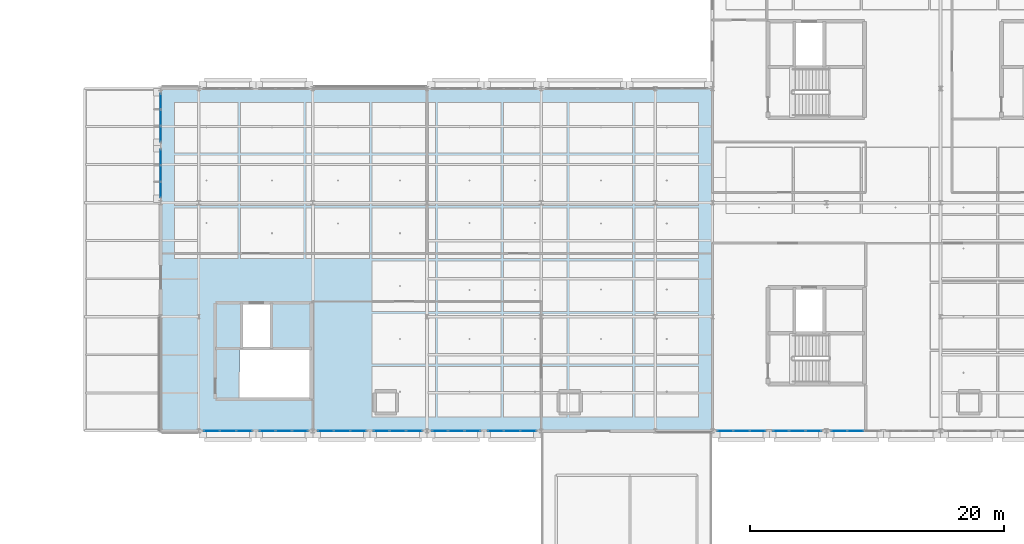
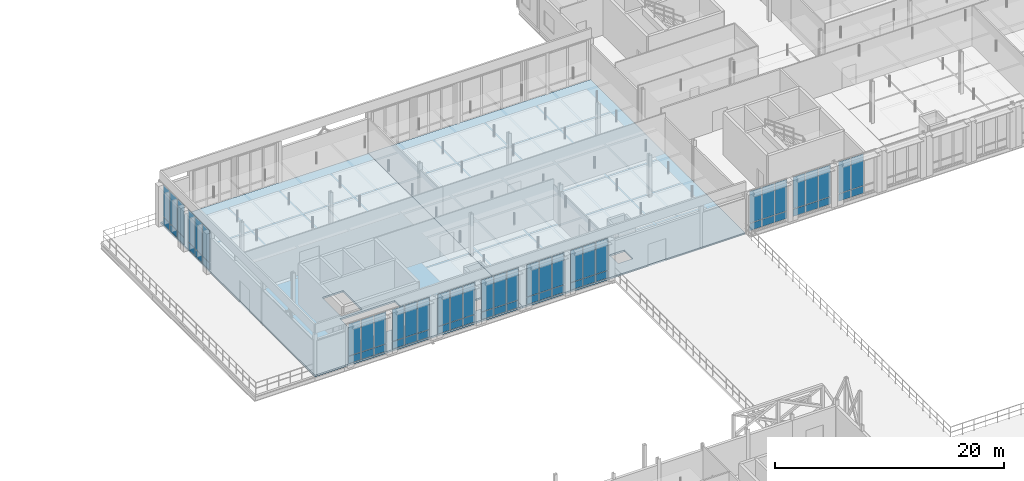
# One storey, part 37 of 89: 64 plates, 2 slabs, 11 elements without a shape of their own.
"""IFC4 building model written with IfcOpenShell, lengths in metres."""

from ifc_helpers import new_model, si_unit, direction, frame, origin, origin_2d, place, context, subcontext, project, spatial, polyline, rectangle, outline, extrude, material, layer, layer_set, type_object, element, aggregate, save


model = new_model("IFC4")

# Units and contexts
model_context = context("Model", 3, precision=1e-05, world=origin(), true_north=direction((0.0, 1.0)))
body_context = subcontext(model_context, "Body", "Model", "MODEL_VIEW")
ifc_project = project(units=[si_unit("LENGTHUNIT", "METRE"), si_unit("AREAUNIT", "SQUARE_METRE"), si_unit("VOLUMEUNIT", "CUBIC_METRE"), si_unit("PLANEANGLEUNIT", "RADIAN"), si_unit("MASSUNIT", "GRAM", prefix="KILO"), si_unit("THERMODYNAMICTEMPERATUREUNIT", "KELVIN"), si_unit("POWERUNIT", "WATT")], contexts=[model_context])

# Site, building, storey
site_placement = place(None, origin())
site = spatial("IfcSite", under=ifc_project, at=site_placement, CompositionType="ELEMENT")
building_placement = place(site_placement, origin())
building = spatial("IfcBuilding", under=site, at=building_placement, Name="Tallowbark Science Centre", CompositionType="ELEMENT")
storey_placement = place(building_placement, frame((0.0, 0.0, 14.39990234375)))
storey = spatial("IfcBuildingStorey", under=building, at=storey_placement, Name="L03", CompositionType="ELEMENT", Elevation=14.39990234375)

# Curtain wall, plates
ifc_material_1 = material(Name="Unitised Thermally Broken Aluminium and Low-E Double Glazing", Category="aluminium")
curtain_wall_type = type_object("IfcCurtainWallType", Name="CW-SYS-FACADE", PredefinedType="NOTDEFINED", material=ifc_material_1)
curtain_wall_1_placement = place(storey_placement, origin())
curtain_wall_1 = element("IfcCurtainWall", 1, at=curtain_wall_1_placement, inside=storey, type_object=curtain_wall_type, Name="Unitised Curtain Wall LAB-S-72A CW-L03-076", PredefinedType="NOTDEFINED")
ifc_material_2 = material(Name="Double Glazed Argon Low-E Vision Glass", Category="glass")
ifc_layer_1 = layer(ifc_material_2, 0.028076171875)
ifc_layer_set_1 = layer_set([ifc_layer_1], Name="Double Glazed Argon Low-E Vision Glass")
plate_type_1 = type_object("IfcPlateType", Name="CWP-GLZ-28", PredefinedType="CURTAIN_PANEL", material=ifc_layer_set_1)
plate_1_placement = place(storey_placement, frame((73.016357421875, 72.0, 0.05517578125), z_axis=(0.0, 0.0, 1.0), x_axis=(1.0, 0.0, 0.0)))
plate_1 = element("IfcPlate", 2, at=plate_1_placement, type_object=plate_type_1, Name="CW-01 panel 1.1", PredefinedType="CURTAIN_PANEL", context=body_context, shape_type="SweptSolid", body=[
    extrude(rectangle(XDim=1.202392578125, YDim=0.028076171875, at=origin_2d()), origin(), (0.0, 0.0, 1.0), 0.767578125),
])
plate_2_placement = place(storey_placement, frame((73.016357421875, 72.0, 0.87744140625), z_axis=(0.0, 0.0, 1.0), x_axis=(1.0, 0.0, 0.0)))
plate_2 = element("IfcPlate", 3, at=plate_2_placement, type_object=plate_type_1, Name="CW-01 panel 1.2", PredefinedType="CURTAIN_PANEL", context=body_context, shape_type="SweptSolid", body=[
    extrude(rectangle(XDim=1.202392578125, YDim=0.028076171875, at=origin_2d()), origin(), (0.0, 0.0, 1.0), 3.407470703125),
])
plate_3_placement = place(storey_placement, frame((74.300048828125, 72.0, 0.05517578125), z_axis=(0.0, 0.0, 1.0), x_axis=(1.0, 0.0, 0.0)))
plate_3 = element("IfcPlate", 4, at=plate_3_placement, type_object=plate_type_1, Name="CW-01 panel 2.1", PredefinedType="CURTAIN_PANEL", context=body_context, shape_type="SweptSolid", body=[
    extrude(rectangle(XDim=1.235107421875, YDim=0.028076171875, at=origin_2d()), origin(), (0.0, 0.0, 1.0), 0.767578125),
])
plate_4_placement = place(storey_placement, frame((74.300048828125, 72.0, 0.87744140625), z_axis=(0.0, 0.0, 1.0), x_axis=(1.0, 0.0, 0.0)))
plate_4 = element("IfcPlate", 5, at=plate_4_placement, type_object=plate_type_1, Name="CW-01 panel 2.2", PredefinedType="CURTAIN_PANEL", context=body_context, shape_type="SweptSolid", body=[
    extrude(rectangle(XDim=1.235107421875, YDim=0.028076171875, at=origin_2d()), origin(), (0.0, 0.0, 1.0), 3.407470703125),
])
plate_5_placement = place(storey_placement, frame((75.583740234375, 72.0, 0.05517578125), z_axis=(0.0, 0.0, 1.0), x_axis=(1.0, 0.0, 0.0)))
plate_5 = element("IfcPlate", 6, at=plate_5_placement, type_object=plate_type_1, Name="CW-01 panel 3.1", PredefinedType="CURTAIN_PANEL", context=body_context, shape_type="SweptSolid", body=[
    extrude(rectangle(XDim=1.202392578125, YDim=0.028076171875, at=origin_2d()), origin(), (0.0, 0.0, 1.0), 0.767578125),
])
plate_6_placement = place(storey_placement, frame((75.583740234375, 72.0, 0.87744140625), z_axis=(0.0, 0.0, 1.0), x_axis=(1.0, 0.0, 0.0)))
plate_6 = element("IfcPlate", 7, at=plate_6_placement, type_object=plate_type_1, Name="CW-01 panel 3.2", PredefinedType="CURTAIN_PANEL", context=body_context, shape_type="SweptSolid", body=[
    extrude(rectangle(XDim=1.202392578125, YDim=0.028076171875, at=origin_2d()), origin(), (0.0, 0.0, 1.0), 3.407470703125),
])
aggregate(curtain_wall_1, [plate_1, plate_2, plate_3, plate_4, plate_5, plate_6])

curtain_wall_2_placement = place(storey_placement, origin())
curtain_wall_2 = element("IfcCurtainWall", 8, at=curtain_wall_2_placement, inside=storey, type_object=curtain_wall_type, Name="Unitised Curtain Wall LAB-S-72B CW-L03-077", PredefinedType="NOTDEFINED")
plate_7_placement = place(storey_placement, frame((77.416259765625, 72.0, 0.05517578125), z_axis=(0.0, 0.0, 1.0), x_axis=(1.0, 0.0, 0.0)))
plate_7 = element("IfcPlate", 9, at=plate_7_placement, type_object=plate_type_1, Name="CW-01 panel 1.1", PredefinedType="CURTAIN_PANEL", context=body_context, shape_type="SweptSolid", body=[
    extrude(rectangle(XDim=1.202392578125, YDim=0.028076171875, at=origin_2d()), origin(), (0.0, 0.0, 1.0), 0.767578125),
])
plate_8_placement = place(storey_placement, frame((77.416259765625, 72.0, 0.87744140625), z_axis=(0.0, 0.0, 1.0), x_axis=(1.0, 0.0, 0.0)))
plate_8 = element("IfcPlate", 10, at=plate_8_placement, type_object=plate_type_1, Name="CW-01 panel 1.2", PredefinedType="CURTAIN_PANEL", context=body_context, shape_type="SweptSolid", body=[
    extrude(rectangle(XDim=1.202392578125, YDim=0.028076171875, at=origin_2d()), origin(), (0.0, 0.0, 1.0), 3.407470703125),
])
plate_9_placement = place(storey_placement, frame((78.699951171875, 72.0, 0.05517578125), z_axis=(0.0, 0.0, 1.0), x_axis=(1.0, 0.0, 0.0)))
plate_9 = element("IfcPlate", 11, at=plate_9_placement, type_object=plate_type_1, Name="CW-01 panel 2.1", PredefinedType="CURTAIN_PANEL", context=body_context, shape_type="SweptSolid", body=[
    extrude(rectangle(XDim=1.235107421875, YDim=0.028076171875, at=origin_2d()), origin(), (0.0, 0.0, 1.0), 0.767578125),
])
plate_10_placement = place(storey_placement, frame((78.699951171875, 72.0, 0.87744140625), z_axis=(0.0, 0.0, 1.0), x_axis=(1.0, 0.0, 0.0)))
plate_10 = element("IfcPlate", 12, at=plate_10_placement, type_object=plate_type_1, Name="CW-01 panel 2.2", PredefinedType="CURTAIN_PANEL", context=body_context, shape_type="SweptSolid", body=[
    extrude(rectangle(XDim=1.235107421875, YDim=0.028076171875, at=origin_2d()), origin(), (0.0, 0.0, 1.0), 3.407470703125),
])
plate_11_placement = place(storey_placement, frame((79.983642578125, 72.0, 0.05517578125), z_axis=(0.0, 0.0, 1.0), x_axis=(1.0, 0.0, 0.0)))
plate_11 = element("IfcPlate", 13, at=plate_11_placement, type_object=plate_type_1, Name="CW-01 panel 3.1", PredefinedType="CURTAIN_PANEL", context=body_context, shape_type="SweptSolid", body=[
    extrude(rectangle(XDim=1.202392578125, YDim=0.028076171875, at=origin_2d()), origin(), (0.0, 0.0, 1.0), 0.767578125),
])
plate_12_placement = place(storey_placement, frame((79.983642578125, 72.0, 0.87744140625), z_axis=(0.0, 0.0, 1.0), x_axis=(1.0, 0.0, 0.0)))
plate_12 = element("IfcPlate", 14, at=plate_12_placement, type_object=plate_type_1, Name="CW-01 panel 3.2", PredefinedType="CURTAIN_PANEL", context=body_context, shape_type="SweptSolid", body=[
    extrude(rectangle(XDim=1.202392578125, YDim=0.028076171875, at=origin_2d()), origin(), (0.0, 0.0, 1.0), 3.407470703125),
])
aggregate(curtain_wall_2, [plate_7, plate_8, plate_9, plate_10, plate_11, plate_12])

curtain_wall_3_placement = place(storey_placement, origin())
curtain_wall_3 = element("IfcCurtainWall", 15, at=curtain_wall_3_placement, inside=storey, type_object=curtain_wall_type, Name="Unitised Curtain Wall LAB-S-81B CW-L03-079", PredefinedType="NOTDEFINED")
plate_13_placement = place(storey_placement, frame((86.416259765625, 72.0, 0.05517578125), z_axis=(0.0, 0.0, 1.0), x_axis=(1.0, 0.0, 0.0)))
plate_13 = element("IfcPlate", 16, at=plate_13_placement, type_object=plate_type_1, Name="CW-01 panel 1.1", PredefinedType="CURTAIN_PANEL", context=body_context, shape_type="SweptSolid", body=[
    extrude(rectangle(XDim=1.202392578125, YDim=0.028076171875, at=origin_2d()), origin(), (0.0, 0.0, 1.0), 0.767578125),
])
plate_14_placement = place(storey_placement, frame((86.416259765625, 72.0, 0.87744140625), z_axis=(0.0, 0.0, 1.0), x_axis=(1.0, 0.0, 0.0)))
plate_14 = element("IfcPlate", 17, at=plate_14_placement, type_object=plate_type_1, Name="CW-01 panel 1.2", PredefinedType="CURTAIN_PANEL", context=body_context, shape_type="SweptSolid", body=[
    extrude(rectangle(XDim=1.202392578125, YDim=0.028076171875, at=origin_2d()), origin(), (0.0, 0.0, 1.0), 3.407470703125),
])
plate_15_placement = place(storey_placement, frame((87.699951171875, 72.0, 0.05517578125), z_axis=(0.0, 0.0, 1.0), x_axis=(1.0, 0.0, 0.0)))
plate_15 = element("IfcPlate", 18, at=plate_15_placement, type_object=plate_type_1, Name="CW-01 panel 2.1", PredefinedType="CURTAIN_PANEL", context=body_context, shape_type="SweptSolid", body=[
    extrude(rectangle(XDim=1.235107421875, YDim=0.028076171875, at=origin_2d()), origin(), (0.0, 0.0, 1.0), 0.767578125),
])
plate_16_placement = place(storey_placement, frame((87.699951171875, 72.0, 0.87744140625), z_axis=(0.0, 0.0, 1.0), x_axis=(1.0, 0.0, 0.0)))
plate_16 = element("IfcPlate", 19, at=plate_16_placement, type_object=plate_type_1, Name="CW-01 panel 2.2", PredefinedType="CURTAIN_PANEL", context=body_context, shape_type="SweptSolid", body=[
    extrude(rectangle(XDim=1.235107421875, YDim=0.028076171875, at=origin_2d()), origin(), (0.0, 0.0, 1.0), 3.407470703125),
])
plate_17_placement = place(storey_placement, frame((88.983642578125, 72.0, 0.05517578125), z_axis=(0.0, 0.0, 1.0), x_axis=(1.0, 0.0, 0.0)))
plate_17 = element("IfcPlate", 20, at=plate_17_placement, type_object=plate_type_1, Name="CW-01 panel 3.1", PredefinedType="CURTAIN_PANEL", context=body_context, shape_type="SweptSolid", body=[
    extrude(rectangle(XDim=1.202392578125, YDim=0.028076171875, at=origin_2d()), origin(), (0.0, 0.0, 1.0), 0.767578125),
])
plate_18_placement = place(storey_placement, frame((88.983642578125, 72.0, 0.87744140625), z_axis=(0.0, 0.0, 1.0), x_axis=(1.0, 0.0, 0.0)))
plate_18 = element("IfcPlate", 21, at=plate_18_placement, type_object=plate_type_1, Name="CW-01 panel 3.2", PredefinedType="CURTAIN_PANEL", context=body_context, shape_type="SweptSolid", body=[
    extrude(rectangle(XDim=1.202392578125, YDim=0.028076171875, at=origin_2d()), origin(), (0.0, 0.0, 1.0), 3.407470703125),
])
aggregate(curtain_wall_3, [plate_13, plate_14, plate_15, plate_16, plate_17, plate_18])

curtain_wall_4_placement = place(storey_placement, origin())
curtain_wall_4 = element("IfcCurtainWall", 22, at=curtain_wall_4_placement, inside=storey, type_object=curtain_wall_type, Name="Unitised Curtain Wall LAB-S-90A CW-L03-080", PredefinedType="NOTDEFINED")
plate_19_placement = place(storey_placement, frame((91.016357421875, 72.0, 0.05517578125), z_axis=(0.0, 0.0, 1.0), x_axis=(1.0, 0.0, 0.0)))
plate_19 = element("IfcPlate", 23, at=plate_19_placement, type_object=plate_type_1, Name="CW-01 panel 1.1", PredefinedType="CURTAIN_PANEL", context=body_context, shape_type="SweptSolid", body=[
    extrude(rectangle(XDim=1.202392578125, YDim=0.028076171875, at=origin_2d()), origin(), (0.0, 0.0, 1.0), 0.767578125),
])
plate_20_placement = place(storey_placement, frame((91.016357421875, 72.0, 0.87744140625), z_axis=(0.0, 0.0, 1.0), x_axis=(1.0, 0.0, 0.0)))
plate_20 = element("IfcPlate", 24, at=plate_20_placement, type_object=plate_type_1, Name="CW-01 panel 1.2", PredefinedType="CURTAIN_PANEL", context=body_context, shape_type="SweptSolid", body=[
    extrude(rectangle(XDim=1.202392578125, YDim=0.028076171875, at=origin_2d()), origin(), (0.0, 0.0, 1.0), 3.407470703125),
])
plate_21_placement = place(storey_placement, frame((92.300048828125, 72.0, 0.05517578125), z_axis=(0.0, 0.0, 1.0), x_axis=(1.0, 0.0, 0.0)))
plate_21 = element("IfcPlate", 25, at=plate_21_placement, type_object=plate_type_1, Name="CW-01 panel 2.1", PredefinedType="CURTAIN_PANEL", context=body_context, shape_type="SweptSolid", body=[
    extrude(rectangle(XDim=1.235107421875, YDim=0.028076171875, at=origin_2d()), origin(), (0.0, 0.0, 1.0), 0.767578125),
])
plate_22_placement = place(storey_placement, frame((92.300048828125, 72.0, 0.87744140625), z_axis=(0.0, 0.0, 1.0), x_axis=(1.0, 0.0, 0.0)))
plate_22 = element("IfcPlate", 26, at=plate_22_placement, type_object=plate_type_1, Name="CW-01 panel 2.2", PredefinedType="CURTAIN_PANEL", context=body_context, shape_type="SweptSolid", body=[
    extrude(rectangle(XDim=1.235107421875, YDim=0.028076171875, at=origin_2d()), origin(), (0.0, 0.0, 1.0), 3.407470703125),
])
plate_23_placement = place(storey_placement, frame((93.583740234375, 72.0, 0.05517578125), z_axis=(0.0, 0.0, 1.0), x_axis=(1.0, 0.0, 0.0)))
plate_23 = element("IfcPlate", 27, at=plate_23_placement, type_object=plate_type_1, Name="CW-01 panel 3.1", PredefinedType="CURTAIN_PANEL", context=body_context, shape_type="SweptSolid", body=[
    extrude(rectangle(XDim=1.202392578125, YDim=0.028076171875, at=origin_2d()), origin(), (0.0, 0.0, 1.0), 0.767578125),
])
plate_24_placement = place(storey_placement, frame((93.583740234375, 72.0, 0.87744140625), z_axis=(0.0, 0.0, 1.0), x_axis=(1.0, 0.0, 0.0)))
plate_24 = element("IfcPlate", 28, at=plate_24_placement, type_object=plate_type_1, Name="CW-01 panel 3.2", PredefinedType="CURTAIN_PANEL", context=body_context, shape_type="SweptSolid", body=[
    extrude(rectangle(XDim=1.202392578125, YDim=0.028076171875, at=origin_2d()), origin(), (0.0, 0.0, 1.0), 3.407470703125),
])
aggregate(curtain_wall_4, [plate_19, plate_20, plate_21, plate_22, plate_23, plate_24])

curtain_wall_5_placement = place(storey_placement, origin())
curtain_wall_5 = element("IfcCurtainWall", 29, at=curtain_wall_5_placement, inside=storey, type_object=curtain_wall_type, Name="Unitised Curtain Wall LAB-W-90A CW-L03-082", PredefinedType="NOTDEFINED")
plate_25_placement = place(storey_placement, frame((69.0, 97.983642578125, 0.05517578125), z_axis=(0.0, 0.0, 1.0), x_axis=(0.0, -1.0, 0.0)))
plate_25 = element("IfcPlate", 30, at=plate_25_placement, type_object=plate_type_1, Name="CW-01 panel 1.1", PredefinedType="CURTAIN_PANEL", context=body_context, shape_type="SweptSolid", body=[
    extrude(rectangle(XDim=1.202392578125, YDim=0.028076171875, at=origin_2d()), origin(), (0.0, 0.0, 1.0), 0.767578125),
])
plate_26_placement = place(storey_placement, frame((69.0, 97.983642578125, 0.87744140625), z_axis=(0.0, 0.0, 1.0), x_axis=(0.0, -1.0, 0.0)))
plate_26 = element("IfcPlate", 31, at=plate_26_placement, type_object=plate_type_1, Name="CW-01 panel 1.2", PredefinedType="CURTAIN_PANEL", context=body_context, shape_type="SweptSolid", body=[
    extrude(rectangle(XDim=1.202392578125, YDim=0.028076171875, at=origin_2d()), origin(), (0.0, 0.0, 1.0), 3.407470703125),
])
plate_27_placement = place(storey_placement, frame((69.0, 96.699951171875, 0.05517578125), z_axis=(0.0, 0.0, 1.0), x_axis=(0.0, -1.0, 0.0)))
plate_27 = element("IfcPlate", 32, at=plate_27_placement, type_object=plate_type_1, Name="CW-01 panel 2.1", PredefinedType="CURTAIN_PANEL", context=body_context, shape_type="SweptSolid", body=[
    extrude(rectangle(XDim=1.235107421875, YDim=0.028076171875, at=origin_2d()), origin(), (0.0, 0.0, 1.0), 0.767578125),
])
plate_28_placement = place(storey_placement, frame((69.0, 96.699951171875, 0.87744140625), z_axis=(0.0, 0.0, 1.0), x_axis=(0.0, -1.0, 0.0)))
plate_28 = element("IfcPlate", 33, at=plate_28_placement, type_object=plate_type_1, Name="CW-01 panel 2.2", PredefinedType="CURTAIN_PANEL", context=body_context, shape_type="SweptSolid", body=[
    extrude(rectangle(XDim=1.235107421875, YDim=0.028076171875, at=origin_2d()), origin(), (0.0, 0.0, 1.0), 3.407470703125),
])
plate_29_placement = place(storey_placement, frame((69.0, 95.416259765625, 0.05517578125), z_axis=(0.0, 0.0, 1.0), x_axis=(0.0, -1.0, 0.0)))
plate_29 = element("IfcPlate", 34, at=plate_29_placement, type_object=plate_type_1, Name="CW-01 panel 3.1", PredefinedType="CURTAIN_PANEL", context=body_context, shape_type="SweptSolid", body=[
    extrude(rectangle(XDim=1.202392578125, YDim=0.028076171875, at=origin_2d()), origin(), (0.0, 0.0, 1.0), 0.767578125),
])
plate_30_placement = place(storey_placement, frame((69.0, 95.416259765625, 0.87744140625), z_axis=(0.0, 0.0, 1.0), x_axis=(0.0, -1.0, 0.0)))
plate_30 = element("IfcPlate", 35, at=plate_30_placement, type_object=plate_type_1, Name="CW-01 panel 3.2", PredefinedType="CURTAIN_PANEL", context=body_context, shape_type="SweptSolid", body=[
    extrude(rectangle(XDim=1.202392578125, YDim=0.028076171875, at=origin_2d()), origin(), (0.0, 0.0, 1.0), 3.407470703125),
])
aggregate(curtain_wall_5, [plate_25, plate_26, plate_27, plate_28, plate_29, plate_30])

curtain_wall_6_placement = place(storey_placement, origin())
curtain_wall_6 = element("IfcCurtainWall", 36, at=curtain_wall_6_placement, inside=storey, type_object=curtain_wall_type, Name="Unitised Curtain Wall LAB-W-90B CW-L03-083", PredefinedType="NOTDEFINED")
plate_31_placement = place(storey_placement, frame((69.0, 93.583740234375, 0.05517578125), z_axis=(0.0, 0.0, 1.0), x_axis=(0.0, -1.0, 0.0)))
plate_31 = element("IfcPlate", 37, at=plate_31_placement, type_object=plate_type_1, Name="CW-01 panel 1.1", PredefinedType="CURTAIN_PANEL", context=body_context, shape_type="SweptSolid", body=[
    extrude(rectangle(XDim=1.202392578125, YDim=0.028076171875, at=origin_2d()), origin(), (0.0, 0.0, 1.0), 0.767578125),
])
plate_32_placement = place(storey_placement, frame((69.0, 93.583740234375, 0.87744140625), z_axis=(0.0, 0.0, 1.0), x_axis=(0.0, -1.0, 0.0)))
plate_32 = element("IfcPlate", 38, at=plate_32_placement, type_object=plate_type_1, Name="CW-01 panel 1.2", PredefinedType="CURTAIN_PANEL", context=body_context, shape_type="SweptSolid", body=[
    extrude(rectangle(XDim=1.202392578125, YDim=0.028076171875, at=origin_2d()), origin(), (0.0, 0.0, 1.0), 3.407470703125),
])
plate_33_placement = place(storey_placement, frame((69.0, 92.300048828125, 0.05517578125), z_axis=(0.0, 0.0, 1.0), x_axis=(0.0, -1.0, 0.0)))
plate_33 = element("IfcPlate", 39, at=plate_33_placement, type_object=plate_type_1, Name="CW-01 panel 2.1", PredefinedType="CURTAIN_PANEL", context=body_context, shape_type="SweptSolid", body=[
    extrude(rectangle(XDim=1.235107421875, YDim=0.028076171875, at=origin_2d()), origin(), (0.0, 0.0, 1.0), 0.767578125),
])
plate_34_placement = place(storey_placement, frame((69.0, 92.300048828125, 0.87744140625), z_axis=(0.0, 0.0, 1.0), x_axis=(0.0, -1.0, 0.0)))
plate_34 = element("IfcPlate", 40, at=plate_34_placement, type_object=plate_type_1, Name="CW-01 panel 2.2", PredefinedType="CURTAIN_PANEL", context=body_context, shape_type="SweptSolid", body=[
    extrude(rectangle(XDim=1.235107421875, YDim=0.028076171875, at=origin_2d()), origin(), (0.0, 0.0, 1.0), 3.407470703125),
])
plate_35_placement = place(storey_placement, frame((69.0, 91.016357421875, 0.05517578125), z_axis=(0.0, 0.0, 1.0), x_axis=(0.0, -1.0, 0.0)))
plate_35 = element("IfcPlate", 41, at=plate_35_placement, type_object=plate_type_1, Name="CW-01 panel 3.1", PredefinedType="CURTAIN_PANEL", context=body_context, shape_type="SweptSolid", body=[
    extrude(rectangle(XDim=1.202392578125, YDim=0.028076171875, at=origin_2d()), origin(), (0.0, 0.0, 1.0), 0.767578125),
])
plate_36_placement = place(storey_placement, frame((69.0, 91.016357421875, 0.87744140625), z_axis=(0.0, 0.0, 1.0), x_axis=(0.0, -1.0, 0.0)))
plate_36 = element("IfcPlate", 42, at=plate_36_placement, type_object=plate_type_1, Name="CW-01 panel 3.2", PredefinedType="CURTAIN_PANEL", context=body_context, shape_type="SweptSolid", body=[
    extrude(rectangle(XDim=1.202392578125, YDim=0.028076171875, at=origin_2d()), origin(), (0.0, 0.0, 1.0), 3.407470703125),
])
aggregate(curtain_wall_6, [plate_31, plate_32, plate_33, plate_34, plate_35, plate_36])

curtain_wall_7_placement = place(storey_placement, origin())
curtain_wall_7 = element("IfcCurtainWall", 43, at=curtain_wall_7_placement, inside=storey, type_object=curtain_wall_type, Name="Unitised Curtain Wall OBS-S-112A CW-L03-164", PredefinedType="NOTDEFINED")
plate_37_placement = place(storey_placement, frame((113.516357421875, 72.0, 0.05517578125), z_axis=(0.0, 0.0, 1.0), x_axis=(1.0, 0.0, 0.0)))
plate_37 = element("IfcPlate", 44, at=plate_37_placement, type_object=plate_type_1, Name="CW-01 panel 1.1", PredefinedType="CURTAIN_PANEL", context=body_context, shape_type="SweptSolid", body=[
    extrude(rectangle(XDim=1.202392578125, YDim=0.028076171875, at=origin_2d()), origin(), (0.0, 0.0, 1.0), 0.767578125),
])
plate_38_placement = place(storey_placement, frame((113.516357421875, 72.0, 0.87744140625), z_axis=(0.0, 0.0, 1.0), x_axis=(1.0, 0.0, 0.0)))
plate_38 = element("IfcPlate", 45, at=plate_38_placement, type_object=plate_type_1, Name="CW-01 panel 1.2", PredefinedType="CURTAIN_PANEL", context=body_context, shape_type="SweptSolid", body=[
    extrude(rectangle(XDim=1.202392578125, YDim=0.028076171875, at=origin_2d()), origin(), (0.0, 0.0, 1.0), 3.387451171875),
])
plate_39_placement = place(storey_placement, frame((114.800048828125, 72.0, 0.05517578125), z_axis=(0.0, 0.0, 1.0), x_axis=(1.0, 0.0, 0.0)))
plate_39 = element("IfcPlate", 46, at=plate_39_placement, type_object=plate_type_1, Name="CW-01 panel 2.1", PredefinedType="CURTAIN_PANEL", context=body_context, shape_type="SweptSolid", body=[
    extrude(rectangle(XDim=1.235107421875, YDim=0.028076171875, at=origin_2d()), origin(), (0.0, 0.0, 1.0), 0.767578125),
])
plate_40_placement = place(storey_placement, frame((114.800048828125, 72.0, 0.87744140625), z_axis=(0.0, 0.0, 1.0), x_axis=(1.0, 0.0, 0.0)))
plate_40 = element("IfcPlate", 47, at=plate_40_placement, type_object=plate_type_1, Name="CW-01 panel 2.2", PredefinedType="CURTAIN_PANEL", context=body_context, shape_type="SweptSolid", body=[
    extrude(rectangle(XDim=1.235107421875, YDim=0.028076171875, at=origin_2d()), origin(), (0.0, 0.0, 1.0), 3.387451171875),
])
plate_41_placement = place(storey_placement, frame((116.083740234375, 72.0, 0.05517578125), z_axis=(0.0, 0.0, 1.0), x_axis=(1.0, 0.0, 0.0)))
plate_41 = element("IfcPlate", 48, at=plate_41_placement, type_object=plate_type_1, Name="CW-01 panel 3.1", PredefinedType="CURTAIN_PANEL", context=body_context, shape_type="SweptSolid", body=[
    extrude(rectangle(XDim=1.202392578125, YDim=0.028076171875, at=origin_2d()), origin(), (0.0, 0.0, 1.0), 0.767578125),
])
plate_42_placement = place(storey_placement, frame((116.083740234375, 72.0, 0.87744140625), z_axis=(0.0, 0.0, 1.0), x_axis=(1.0, 0.0, 0.0)))
plate_42 = element("IfcPlate", 49, at=plate_42_placement, type_object=plate_type_1, Name="CW-01 panel 3.2", PredefinedType="CURTAIN_PANEL", context=body_context, shape_type="SweptSolid", body=[
    extrude(rectangle(XDim=1.202392578125, YDim=0.028076171875, at=origin_2d()), origin(), (0.0, 0.0, 1.0), 3.387451171875),
])
aggregate(curtain_wall_7, [plate_37, plate_38, plate_39, plate_40, plate_41, plate_42])

curtain_wall_8_placement = place(storey_placement, origin())
curtain_wall_8 = element("IfcCurtainWall", 50, at=curtain_wall_8_placement, inside=storey, type_object=curtain_wall_type, Name="Unitised Curtain Wall LAB-S-81A CW-L03-078", PredefinedType="NOTDEFINED")
ifc_material_3 = material(Name="Ceramic-Fritted Insulated Glass Spandrel Panel", Category="glass")
ifc_layer_2 = layer(ifc_material_3, 0.031982421875)
ifc_layer_set_2 = layer_set([ifc_layer_2], Name="Ceramic-Fritted Insulated Glass Spandrel Panel")
plate_type_2 = type_object("IfcPlateType", Name="CWP-SPN-32", PredefinedType="CURTAIN_PANEL", material=ifc_layer_set_2)
plate_43_placement = place(storey_placement, frame((82.016357421875, 72.0, 0.05517578125), z_axis=(0.0, 0.0, 1.0), x_axis=(1.0, 0.0, 0.0)))
plate_43 = element("IfcPlate", 51, at=plate_43_placement, type_object=plate_type_2, Name="CW-01 panel 1.1", PredefinedType="CURTAIN_PANEL", context=body_context, shape_type="SweptSolid", body=[
    extrude(rectangle(XDim=1.202392578125, YDim=0.031982421875, at=origin_2d()), origin(), (0.0, 0.0, 1.0), 0.767578125),
])
plate_44_placement = place(storey_placement, frame((82.016357421875, 72.0, 0.87744140625), z_axis=(0.0, 0.0, 1.0), x_axis=(1.0, 0.0, 0.0)))
plate_44 = element("IfcPlate", 52, at=plate_44_placement, type_object=plate_type_2, Name="CW-01 panel 1.2", PredefinedType="CURTAIN_PANEL", context=body_context, shape_type="SweptSolid", body=[
    extrude(rectangle(XDim=1.202392578125, YDim=0.031982421875, at=origin_2d()), origin(), (0.0, 0.0, 1.0), 3.407470703125),
])
plate_45_placement = place(storey_placement, frame((83.300048828125, 72.0, 0.05517578125), z_axis=(0.0, 0.0, 1.0), x_axis=(1.0, 0.0, 0.0)))
plate_45 = element("IfcPlate", 53, at=plate_45_placement, type_object=plate_type_2, Name="CW-01 panel 2.1", PredefinedType="CURTAIN_PANEL", context=body_context, shape_type="SweptSolid", body=[
    extrude(rectangle(XDim=1.235107421875, YDim=0.031982421875, at=origin_2d()), origin(), (0.0, 0.0, 1.0), 0.767578125),
])
plate_46_placement = place(storey_placement, frame((83.300048828125, 72.0, 0.87744140625), z_axis=(0.0, 0.0, 1.0), x_axis=(1.0, 0.0, 0.0)))
plate_46 = element("IfcPlate", 54, at=plate_46_placement, type_object=plate_type_2, Name="CW-01 panel 2.2", PredefinedType="CURTAIN_PANEL", context=body_context, shape_type="SweptSolid", body=[
    extrude(rectangle(XDim=1.235107421875, YDim=0.031982421875, at=origin_2d()), origin(), (0.0, 0.0, 1.0), 3.407470703125),
])
plate_47_placement = place(storey_placement, frame((84.583740234375, 72.0, 0.05517578125), z_axis=(0.0, 0.0, 1.0), x_axis=(1.0, 0.0, 0.0)))
plate_47 = element("IfcPlate", 55, at=plate_47_placement, type_object=plate_type_2, Name="CW-01 panel 3.1", PredefinedType="CURTAIN_PANEL", context=body_context, shape_type="SweptSolid", body=[
    extrude(rectangle(XDim=1.202392578125, YDim=0.031982421875, at=origin_2d()), origin(), (0.0, 0.0, 1.0), 0.767578125),
])
plate_48_placement = place(storey_placement, frame((84.583740234375, 72.0, 0.87744140625), z_axis=(0.0, 0.0, 1.0), x_axis=(1.0, 0.0, 0.0)))
plate_48 = element("IfcPlate", 56, at=plate_48_placement, type_object=plate_type_2, Name="CW-01 panel 3.2", PredefinedType="CURTAIN_PANEL", context=body_context, shape_type="SweptSolid", body=[
    extrude(rectangle(XDim=1.202392578125, YDim=0.031982421875, at=origin_2d()), origin(), (0.0, 0.0, 1.0), 3.407470703125),
])
aggregate(curtain_wall_8, [plate_43, plate_44, plate_45, plate_46, plate_47, plate_48])

curtain_wall_9_placement = place(storey_placement, origin())
curtain_wall_9 = element("IfcCurtainWall", 57, at=curtain_wall_9_placement, inside=storey, type_object=curtain_wall_type, Name="Unitised Curtain Wall LAB-S-90B CW-L03-081", PredefinedType="NOTDEFINED")
plate_49_placement = place(storey_placement, frame((95.416259765625, 72.0, 0.05517578125), z_axis=(0.0, 0.0, 1.0), x_axis=(1.0, 0.0, 0.0)))
plate_49 = element("IfcPlate", 58, at=plate_49_placement, type_object=plate_type_2, Name="CW-01 panel 1.1", PredefinedType="CURTAIN_PANEL", context=body_context, shape_type="SweptSolid", body=[
    extrude(rectangle(XDim=1.202392578125, YDim=0.031982421875, at=origin_2d()), origin(), (0.0, 0.0, 1.0), 0.767578125),
])
plate_50_placement = place(storey_placement, frame((95.416259765625, 72.0, 0.87744140625), z_axis=(0.0, 0.0, 1.0), x_axis=(1.0, 0.0, 0.0)))
plate_50 = element("IfcPlate", 59, at=plate_50_placement, type_object=plate_type_2, Name="CW-01 panel 1.2", PredefinedType="CURTAIN_PANEL", context=body_context, shape_type="SweptSolid", body=[
    extrude(rectangle(XDim=1.202392578125, YDim=0.031982421875, at=origin_2d()), origin(), (0.0, 0.0, 1.0), 3.407470703125),
])
plate_51_placement = place(storey_placement, frame((96.699951171875, 72.0, 0.05517578125), z_axis=(0.0, 0.0, 1.0), x_axis=(1.0, 0.0, 0.0)))
plate_51 = element("IfcPlate", 60, at=plate_51_placement, type_object=plate_type_2, Name="CW-01 panel 2.1", PredefinedType="CURTAIN_PANEL", context=body_context, shape_type="SweptSolid", body=[
    extrude(rectangle(XDim=1.235107421875, YDim=0.031982421875, at=origin_2d()), origin(), (0.0, 0.0, 1.0), 0.767578125),
])
plate_52_placement = place(storey_placement, frame((96.699951171875, 72.0, 0.87744140625), z_axis=(0.0, 0.0, 1.0), x_axis=(1.0, 0.0, 0.0)))
plate_52 = element("IfcPlate", 61, at=plate_52_placement, type_object=plate_type_2, Name="CW-01 panel 2.2", PredefinedType="CURTAIN_PANEL", context=body_context, shape_type="SweptSolid", body=[
    extrude(rectangle(XDim=1.235107421875, YDim=0.031982421875, at=origin_2d()), origin(), (0.0, 0.0, 1.0), 3.407470703125),
])
plate_53_placement = place(storey_placement, frame((97.983642578125, 72.0, 0.05517578125), z_axis=(0.0, 0.0, 1.0), x_axis=(1.0, 0.0, 0.0)))
plate_53 = element("IfcPlate", 62, at=plate_53_placement, type_object=plate_type_2, Name="CW-01 panel 3.1", PredefinedType="CURTAIN_PANEL", context=body_context, shape_type="SweptSolid", body=[
    extrude(rectangle(XDim=1.202392578125, YDim=0.031982421875, at=origin_2d()), origin(), (0.0, 0.0, 1.0), 0.767578125),
])
plate_54_placement = place(storey_placement, frame((97.983642578125, 72.0, 0.87744140625), z_axis=(0.0, 0.0, 1.0), x_axis=(1.0, 0.0, 0.0)))
plate_54 = element("IfcPlate", 63, at=plate_54_placement, type_object=plate_type_2, Name="CW-01 panel 3.2", PredefinedType="CURTAIN_PANEL", context=body_context, shape_type="SweptSolid", body=[
    extrude(rectangle(XDim=1.202392578125, YDim=0.031982421875, at=origin_2d()), origin(), (0.0, 0.0, 1.0), 3.407470703125),
])
aggregate(curtain_wall_9, [plate_49, plate_50, plate_51, plate_52, plate_53, plate_54])

curtain_wall_10_placement = place(storey_placement, origin())
curtain_wall_10 = element("IfcCurtainWall", 64, at=curtain_wall_10_placement, inside=storey, type_object=curtain_wall_type, Name="Unitised Curtain Wall OBS-S-112B CW-L03-165", PredefinedType="NOTDEFINED")
plate_55_placement = place(storey_placement, frame((117.916259765625, 72.0, 0.05517578125), z_axis=(0.0, 0.0, 1.0), x_axis=(1.0, 0.0, 0.0)))
plate_55 = element("IfcPlate", 65, at=plate_55_placement, type_object=plate_type_2, Name="CW-01 panel 1.1", PredefinedType="CURTAIN_PANEL", context=body_context, shape_type="SweptSolid", body=[
    extrude(rectangle(XDim=1.202392578125, YDim=0.031982421875, at=origin_2d()), origin(), (0.0, 0.0, 1.0), 0.767578125),
])
plate_56_placement = place(storey_placement, frame((117.916259765625, 72.0, 0.87744140625), z_axis=(0.0, 0.0, 1.0), x_axis=(1.0, 0.0, 0.0)))
plate_56 = element("IfcPlate", 66, at=plate_56_placement, type_object=plate_type_2, Name="CW-01 panel 1.2", PredefinedType="CURTAIN_PANEL", context=body_context, shape_type="SweptSolid", body=[
    extrude(rectangle(XDim=1.202392578125, YDim=0.031982421875, at=origin_2d()), origin(), (0.0, 0.0, 1.0), 3.387451171875),
])
plate_57_placement = place(storey_placement, frame((119.199951171875, 72.0, 0.05517578125), z_axis=(0.0, 0.0, 1.0), x_axis=(1.0, 0.0, 0.0)))
plate_57 = element("IfcPlate", 67, at=plate_57_placement, type_object=plate_type_2, Name="CW-01 panel 2.1", PredefinedType="CURTAIN_PANEL", context=body_context, shape_type="SweptSolid", body=[
    extrude(rectangle(XDim=1.235107421875, YDim=0.031982421875, at=origin_2d()), origin(), (0.0, 0.0, 1.0), 0.767578125),
])
plate_58_placement = place(storey_placement, frame((119.199951171875, 72.0, 0.87744140625), z_axis=(0.0, 0.0, 1.0), x_axis=(1.0, 0.0, 0.0)))
plate_58 = element("IfcPlate", 68, at=plate_58_placement, type_object=plate_type_2, Name="CW-01 panel 2.2", PredefinedType="CURTAIN_PANEL", context=body_context, shape_type="SweptSolid", body=[
    extrude(rectangle(XDim=1.235107421875, YDim=0.031982421875, at=origin_2d()), origin(), (0.0, 0.0, 1.0), 3.387451171875),
])
plate_59_placement = place(storey_placement, frame((120.483642578125, 72.0, 0.05517578125), z_axis=(0.0, 0.0, 1.0), x_axis=(1.0, 0.0, 0.0)))
plate_59 = element("IfcPlate", 69, at=plate_59_placement, type_object=plate_type_2, Name="CW-01 panel 3.1", PredefinedType="CURTAIN_PANEL", context=body_context, shape_type="SweptSolid", body=[
    extrude(rectangle(XDim=1.202392578125, YDim=0.031982421875, at=origin_2d()), origin(), (0.0, 0.0, 1.0), 0.767578125),
])
plate_60_placement = place(storey_placement, frame((120.483642578125, 72.0, 0.87744140625), z_axis=(0.0, 0.0, 1.0), x_axis=(1.0, 0.0, 0.0)))
plate_60 = element("IfcPlate", 70, at=plate_60_placement, type_object=plate_type_2, Name="CW-01 panel 3.2", PredefinedType="CURTAIN_PANEL", context=body_context, shape_type="SweptSolid", body=[
    extrude(rectangle(XDim=1.202392578125, YDim=0.031982421875, at=origin_2d()), origin(), (0.0, 0.0, 1.0), 3.387451171875),
])
aggregate(curtain_wall_10, [plate_55, plate_56, plate_57, plate_58, plate_59, plate_60])

curtain_wall_11_placement = place(storey_placement, origin())
curtain_wall_11 = element("IfcCurtainWall", 71, at=curtain_wall_11_placement, inside=storey, type_object=curtain_wall_type, Name="Unitised Curtain Wall OBS-S-121A CW-L03-168", PredefinedType="NOTDEFINED")
plate_61_placement = place(storey_placement, frame((122.516357421875, 72.0, 0.05517578125), z_axis=(0.0, 0.0, 1.0), x_axis=(1.0, 0.0, 0.0)))
plate_61 = element("IfcPlate", 72, at=plate_61_placement, type_object=plate_type_2, Name="CW-01 panel 1.1", PredefinedType="CURTAIN_PANEL", context=body_context, shape_type="SweptSolid", body=[
    extrude(rectangle(XDim=1.202392578125, YDim=0.031982421875, at=origin_2d()), origin(), (0.0, 0.0, 1.0), 0.767578125),
])
plate_62_placement = place(storey_placement, frame((122.516357421875, 72.0, 0.87744140625), z_axis=(0.0, 0.0, 1.0), x_axis=(1.0, 0.0, 0.0)))
plate_62 = element("IfcPlate", 73, at=plate_62_placement, type_object=plate_type_2, Name="CW-01 panel 1.2", PredefinedType="CURTAIN_PANEL", context=body_context, shape_type="SweptSolid", body=[
    extrude(rectangle(XDim=1.202392578125, YDim=0.031982421875, at=origin_2d()), origin(), (0.0, 0.0, 1.0), 3.387451171875),
])
plate_63_placement = place(storey_placement, frame((123.800048828125, 72.0, 0.05517578125), z_axis=(0.0, 0.0, 1.0), x_axis=(1.0, 0.0, 0.0)))
plate_63 = element("IfcPlate", 74, at=plate_63_placement, type_object=plate_type_2, Name="CW-01 panel 2.1", PredefinedType="CURTAIN_PANEL", context=body_context, shape_type="SweptSolid", body=[
    extrude(rectangle(XDim=1.235107421875, YDim=0.031982421875, at=origin_2d()), origin(), (0.0, 0.0, 1.0), 0.767578125),
])
plate_64_placement = place(storey_placement, frame((123.800048828125, 72.0, 0.87744140625), z_axis=(0.0, 0.0, 1.0), x_axis=(1.0, 0.0, 0.0)))
plate_64 = element("IfcPlate", 75, at=plate_64_placement, type_object=plate_type_2, Name="CW-01 panel 2.2", PredefinedType="CURTAIN_PANEL", context=body_context, shape_type="SweptSolid", body=[
    extrude(rectangle(XDim=1.235107421875, YDim=0.031982421875, at=origin_2d()), origin(), (0.0, 0.0, 1.0), 3.387451171875),
])
aggregate(curtain_wall_11, [plate_61, plate_62, plate_63, plate_64])

# Slabs
ifc_material_4 = material(Name="Concrete Grade N40 (40 MPa)", Category="concrete")
ifc_layer_3 = layer(ifc_material_4, 0.179931640625)
ifc_layer_set_3 = layer_set([ifc_layer_3], Name="Concrete Grade N40 (40 MPa)")
slab_type = type_object("IfcSlabType", Name="SLB-FLR-180", PredefinedType="FLOOR", material=ifc_layer_set_3)
slab_1_placement = place(storey_placement, frame((0.0, 0.0, -0.179931640625)))
element("IfcSlab", 76, at=slab_1_placement, inside=storey, type_object=slab_type, Name="Digital Fabrication Labs West L03 Slab SLB-LAB-W-L03", PredefinedType="FLOOR", context=body_context, shape_type="SweptSolid", body=[
    extrude(outline(polyline([(69.0, 72.0), (90.0, 72.0), (90.0, 99.0), (69.0, 99.0), (69.0, 72.0)]), holes=[polyline([(75.2099609375, 74.64990234375), (80.75, 74.64990234375), (80.75, 78.3701171875), (75.2099609375, 78.3701171875), (75.2099609375, 74.64990234375)]), polyline([(75.5, 78.6201171875), (77.60009765625, 78.6201171875), (77.60009765625, 81.949951171875), (75.5, 81.949951171875), (75.5, 78.6201171875)]), polyline([(86.0, 73.5), (87.5, 73.5), (87.5, 75.0), (86.0, 75.0), (86.0, 73.5)])]), origin(), (0.0, 0.0, 1.0), 0.179931640625),
])
slab_2_placement = place(storey_placement, frame((0.0, 0.0, -0.179931640625)))
element("IfcSlab", 77, at=slab_2_placement, inside=storey, type_object=slab_type, Name="Curatorial Labs East L03 Slab SLB-LAB-E-L03", PredefinedType="FLOOR", context=body_context, shape_type="SweptSolid", body=[
    extrude(outline(polyline([(90.0, 72.0), (112.47509765625, 72.0), (112.47509765625, 99.0), (90.0, 99.0), (90.0, 72.0)]), holes=[polyline([(100.5, 73.5), (102.0, 73.5), (102.0, 75.0), (100.5, 75.0), (100.5, 73.5)])]), origin(), (0.0, 0.0, 1.0), 0.179931640625),
])

save(model, "model.ifc")
